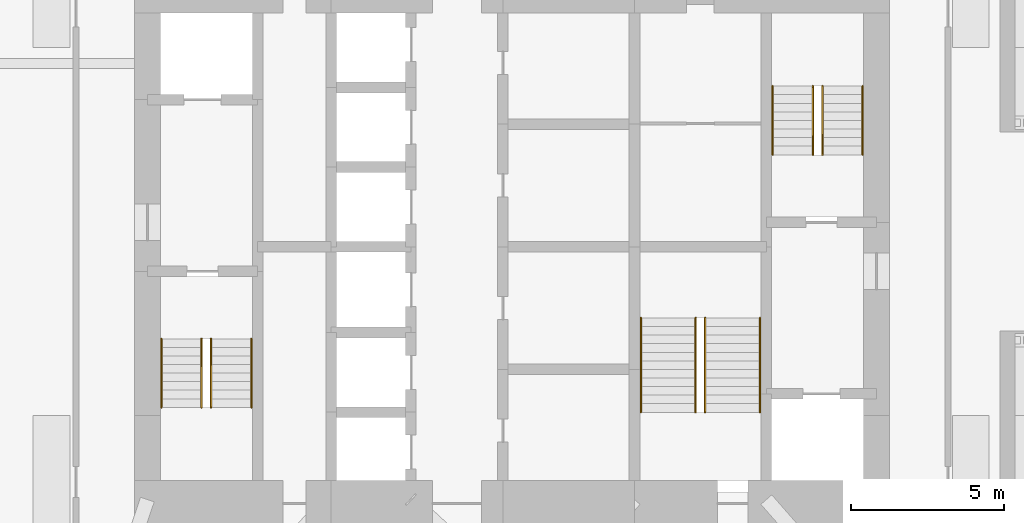
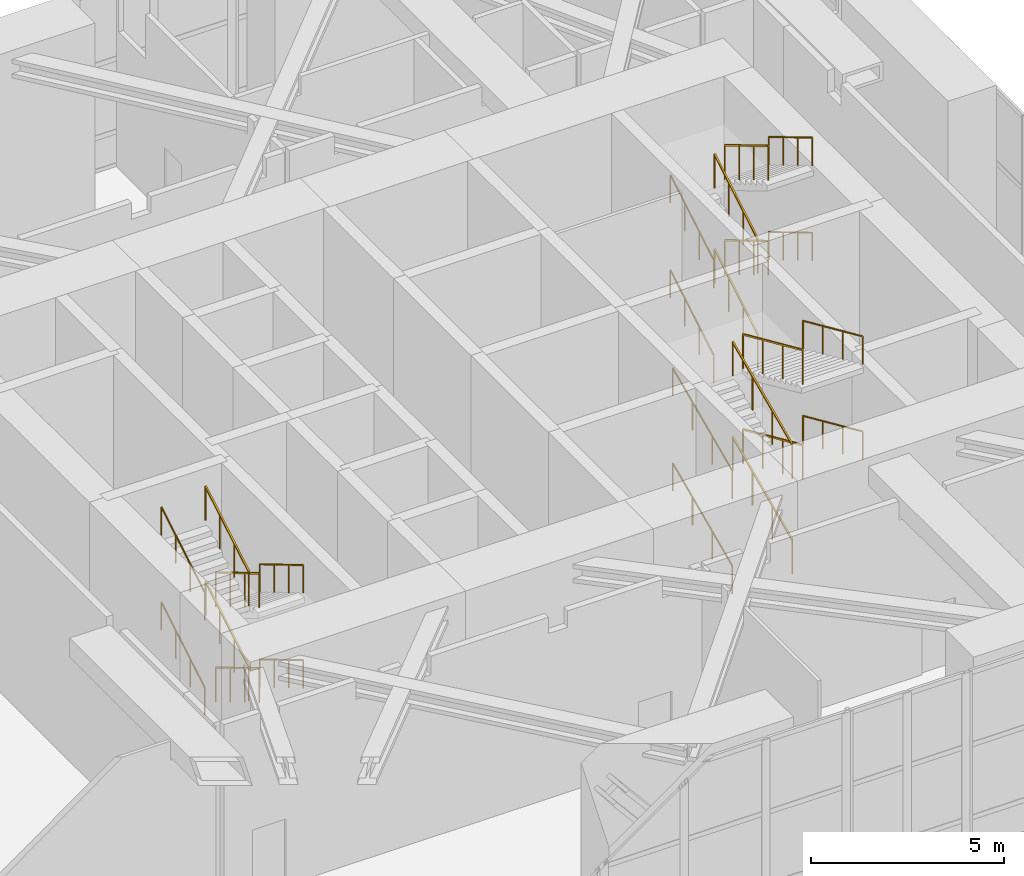
# One storey, part 18 of 18: 24 railings.
"""IFC4 building model written with IfcOpenShell, lengths in metres."""

from ifc_helpers import new_model, si_unit, direction, frame, origin, origin_2d, place, context, subcontext, project, spatial, rectangle, circle, extrude, material, constituent, constituent_set, type_object, element, save


model = new_model("IFC4")

# Units and contexts
model_context = context("Model", 3, precision=1e-05, world=origin(), true_north=direction((0.0, 1.0)))
body_context = subcontext(model_context, "Body", "Model", "MODEL_VIEW")
ifc_project = project(units=[si_unit("LENGTHUNIT", "METRE"), si_unit("AREAUNIT", "SQUARE_METRE"), si_unit("VOLUMEUNIT", "CUBIC_METRE"), si_unit("PLANEANGLEUNIT", "RADIAN"), si_unit("MASSUNIT", "GRAM", prefix="KILO")], contexts=[model_context])

# Site, building, storey
site_placement = place(None, origin())
site = spatial("IfcSite", under=ifc_project, at=site_placement, CompositionType="ELEMENT")
building_placement = place(site_placement, origin())
building = spatial("IfcBuilding", under=site, at=building_placement, Name="Jalousie Tower", CompositionType="ELEMENT")
storey_placement = place(building_placement, frame((0.0, 0.0, 138.35009765625)))
storey = spatial("IfcBuildingStorey", under=building, at=storey_placement, Name="L38", CompositionType="ELEMENT", Elevation=138.35009765625)

# Railings
ifc_material_1 = material(Name="Steel ASTM A500 Grade C", Category="steel")
ifc_constituent_1 = constituent(ifc_material_1, Name="Body")
ifc_material_2 = material(Name="Hot-dip galvanised zinc coating")
ifc_constituent_2 = constituent(ifc_material_2, Name="Finish")
ifc_constituent_set_1 = constituent_set(constituents=[ifc_constituent_1, ifc_constituent_2])
railing_type_1 = type_object("IfcRailingType", Name="STAIR GUARD 1100", PredefinedType="GUARDRAIL", material=ifc_constituent_set_1)
railing_1_placement = place(storey_placement, frame((22.080078125, 15.49755859375, 0.16650390625)))
element("IfcRailing", 1, at=railing_1_placement, inside=storey, type_object=railing_type_1, Name="Exit stair A guard L38 flight 1", PredefinedType="GUARDRAIL", context=body_context, shape_type="SweptSolid", body=[
    extrude(rectangle(XDim=0.048095703125, YDim=0.048095703125, at=origin_2d()), frame((0.0, 0.0, 1.076171875), z_axis=(0.0, -0.859264461869, 0.511531606619), x_axis=(1.0, 0.0, 0.0)), (0.0, 0.0, 1.0), 2.60693359375),
    extrude(circle(Radius=0.02099609375, at=origin_2d()), origin(), (0.0, 0.0, 1.0), 1.052001953125),
    extrude(circle(Radius=0.02099609375, at=origin_2d()), frame((0.0, -0.74658203125, 0.444580078125)), (0.0, 0.0, 1.0), 1.052001953125),
    extrude(circle(Radius=0.02099609375, at=origin_2d()), frame((0.0, -1.493408203125, 0.888916015625)), (0.0, 0.0, 1.0), 1.052001953125),
    extrude(circle(Radius=0.02099609375, at=origin_2d()), frame((0.0, -2.239990234375, 1.33349609375)), (0.0, 0.0, 1.0), 1.052001953125),
])
railing_2_placement = place(storey_placement, frame((21.77001953125, 13.257568359375, 1.66650390625)))
element("IfcRailing", 2, at=railing_2_placement, inside=storey, type_object=railing_type_1, Name="Exit stair A guard L38 flight 2", PredefinedType="GUARDRAIL", context=body_context, shape_type="SweptSolid", body=[
    extrude(rectangle(XDim=0.048095703125, YDim=0.048095703125, at=origin_2d()), frame((0.0, 0.0, 1.076171875), z_axis=(0.0, 0.859264461869, 0.511531606619), x_axis=(-1.0, 0.0, 0.0)), (0.0, 0.0, 1.0), 2.60693359375),
    extrude(circle(Radius=0.02099609375, at=origin_2d()), origin(), (0.0, 0.0, 1.0), 1.052001953125),
    extrude(circle(Radius=0.02099609375, at=origin_2d()), frame((0.0, 0.74658203125, 0.444580078125)), (0.0, 0.0, 1.0), 1.052001953125),
    extrude(circle(Radius=0.02099609375, at=origin_2d()), frame((0.0, 1.493408203125, 0.888916015625)), (0.0, 0.0, 1.0), 1.052001953125),
    extrude(circle(Radius=0.02099609375, at=origin_2d()), frame((0.0, 2.239990234375, 1.33349609375)), (0.0, 0.0, 1.0), 1.052001953125),
])
railing_3_placement = place(storey_placement, frame((22.080078125, 15.49755859375, 3.16650390625)))
element("IfcRailing", 3, at=railing_3_placement, inside=storey, type_object=railing_type_1, Name="Exit stair A guard L38 flight 3", PredefinedType="GUARDRAIL", context=body_context, shape_type="SweptSolid", body=[
    extrude(rectangle(XDim=0.048095703125, YDim=0.048095703125, at=origin_2d()), frame((0.0, 0.0, 1.076171875), z_axis=(0.0, -0.859264461869, 0.511531606619), x_axis=(1.0, 0.0, 0.0)), (0.0, 0.0, 1.0), 2.60693359375),
    extrude(circle(Radius=0.02099609375, at=origin_2d()), origin(), (0.0, 0.0, 1.0), 1.052001953125),
    extrude(circle(Radius=0.02099609375, at=origin_2d()), frame((0.0, -0.74658203125, 0.444580078125)), (0.0, 0.0, 1.0), 1.052001953125),
    extrude(circle(Radius=0.02099609375, at=origin_2d()), frame((0.0, -1.493408203125, 0.888916015625)), (0.0, 0.0, 1.0), 1.052001953125),
    extrude(circle(Radius=0.02099609375, at=origin_2d()), frame((0.0, -2.239990234375, 1.33349609375)), (0.0, 0.0, 1.0), 1.052001953125),
])
for number, where, name in (
    (4, (21.77001953125, 13.257568359375, 4.66650390625), "Exit stair A guard L38 flight 4"),
    (5, (41.719970703125, 21.50244140625, 0.16650390625), "Exit stair B guard L38 flight 1"),
):
    element("IfcRailing", number, at=place(storey_placement, frame(where)), inside=storey, type_object=railing_type_1, Name=name, PredefinedType="GUARDRAIL", context=body_context, shape_type="SweptSolid", body=[
        extrude(rectangle(XDim=0.048095703125, YDim=0.048095703125, at=origin_2d()), frame((0.0, 0.0, 1.076171875), z_axis=(0.0, 0.859264461869, 0.511531606619), x_axis=(-1.0, 0.0, 0.0)), (0.0, 0.0, 1.0), 2.60693359375),
        extrude(circle(Radius=0.02099609375, at=origin_2d()), origin(), (0.0, 0.0, 1.0), 1.052001953125),
        extrude(circle(Radius=0.02099609375, at=origin_2d()), frame((0.0, 0.74658203125, 0.444580078125)), (0.0, 0.0, 1.0), 1.052001953125),
        extrude(circle(Radius=0.02099609375, at=origin_2d()), frame((0.0, 1.493408203125, 0.888916015625)), (0.0, 0.0, 1.0), 1.052001953125),
        extrude(circle(Radius=0.02099609375, at=origin_2d()), frame((0.0, 2.239990234375, 1.33349609375)), (0.0, 0.0, 1.0), 1.052001953125),
    ])
railing_4_placement = place(storey_placement, frame((42.030029296875, 23.742431640625, 1.66650390625)))
element("IfcRailing", 6, at=railing_4_placement, inside=storey, type_object=railing_type_1, Name="Exit stair B guard L38 flight 2", PredefinedType="GUARDRAIL", context=body_context, shape_type="SweptSolid", body=[
    extrude(rectangle(XDim=0.048095703125, YDim=0.048095703125, at=origin_2d()), frame((0.0, 0.0, 1.076171875), z_axis=(0.0, -0.859264461869, 0.511531606619), x_axis=(1.0, 0.0, 0.0)), (0.0, 0.0, 1.0), 2.60693359375),
    extrude(circle(Radius=0.02099609375, at=origin_2d()), origin(), (0.0, 0.0, 1.0), 1.052001953125),
    extrude(circle(Radius=0.02099609375, at=origin_2d()), frame((0.0, -0.74658203125, 0.444580078125)), (0.0, 0.0, 1.0), 1.052001953125),
    extrude(circle(Radius=0.02099609375, at=origin_2d()), frame((0.0, -1.493408203125, 0.888916015625)), (0.0, 0.0, 1.0), 1.052001953125),
    extrude(circle(Radius=0.02099609375, at=origin_2d()), frame((0.0, -2.239990234375, 1.33349609375)), (0.0, 0.0, 1.0), 1.052001953125),
])
railing_5_placement = place(storey_placement, frame((41.719970703125, 21.50244140625, 3.16650390625)))
element("IfcRailing", 7, at=railing_5_placement, inside=storey, type_object=railing_type_1, Name="Exit stair B guard L38 flight 3", PredefinedType="GUARDRAIL", context=body_context, shape_type="SweptSolid", body=[
    extrude(rectangle(XDim=0.048095703125, YDim=0.048095703125, at=origin_2d()), frame((0.0, 0.0, 1.076171875), z_axis=(0.0, 0.859264461869, 0.511531606619), x_axis=(-1.0, 0.0, 0.0)), (0.0, 0.0, 1.0), 2.60693359375),
    extrude(circle(Radius=0.02099609375, at=origin_2d()), origin(), (0.0, 0.0, 1.0), 1.052001953125),
    extrude(circle(Radius=0.02099609375, at=origin_2d()), frame((0.0, 0.74658203125, 0.444580078125)), (0.0, 0.0, 1.0), 1.052001953125),
    extrude(circle(Radius=0.02099609375, at=origin_2d()), frame((0.0, 1.493408203125, 0.888916015625)), (0.0, 0.0, 1.0), 1.052001953125),
    extrude(circle(Radius=0.02099609375, at=origin_2d()), frame((0.0, 2.239990234375, 1.33349609375)), (0.0, 0.0, 1.0), 1.052001953125),
])
railing_6_placement = place(storey_placement, frame((42.030029296875, 23.742431640625, 4.66650390625)))
element("IfcRailing", 8, at=railing_6_placement, inside=storey, type_object=railing_type_1, Name="Exit stair B guard L38 flight 4", PredefinedType="GUARDRAIL", context=body_context, shape_type="SweptSolid", body=[
    extrude(rectangle(XDim=0.048095703125, YDim=0.048095703125, at=origin_2d()), frame((0.0, 0.0, 1.076171875), z_axis=(0.0, -0.859264461869, 0.511531606619), x_axis=(1.0, 0.0, 0.0)), (0.0, 0.0, 1.0), 2.60693359375),
    extrude(circle(Radius=0.02099609375, at=origin_2d()), origin(), (0.0, 0.0, 1.0), 1.052001953125),
    extrude(circle(Radius=0.02099609375, at=origin_2d()), frame((0.0, -0.74658203125, 0.444580078125)), (0.0, 0.0, 1.0), 1.052001953125),
    extrude(circle(Radius=0.02099609375, at=origin_2d()), frame((0.0, -1.493408203125, 0.888916015625)), (0.0, 0.0, 1.0), 1.052001953125),
    extrude(circle(Radius=0.02099609375, at=origin_2d()), frame((0.0, -2.239990234375, 1.33349609375)), (0.0, 0.0, 1.0), 1.052001953125),
])
railing_7_placement = place(storey_placement, frame((37.89501953125, 13.097412109375, 0.125)))
element("IfcRailing", 9, at=railing_7_placement, inside=storey, type_object=railing_type_1, Name="Exit stair C guard L38 flight 1", PredefinedType="GUARDRAIL", context=body_context, shape_type="SweptSolid", body=[
    extrude(rectangle(XDim=0.048095703125, YDim=0.048095703125, at=origin_2d()), frame((0.0, 0.0, 1.076171875), z_axis=(0.0, 0.913141731355, 0.40764221869), x_axis=(-1.0, 0.0, 0.0)), (0.0, 0.0, 1.0), 3.373046875),
    extrude(circle(Radius=0.02099609375, at=origin_2d()), origin(), (0.0, 0.0, 1.0), 1.052001953125),
    extrude(circle(Radius=0.02099609375, at=origin_2d()), frame((0.0, 1.026611328125, 0.458251953125)), (0.0, 0.0, 1.0), 1.052001953125),
    extrude(circle(Radius=0.02099609375, at=origin_2d()), frame((0.0, 2.053466796875, 0.916748046875)), (0.0, 0.0, 1.0), 1.052001953125),
    extrude(circle(Radius=0.02099609375, at=origin_2d()), frame((0.0, 3.080078125, 1.375)), (0.0, 0.0, 1.0), 1.052001953125),
])
railing_8_placement = place(storey_placement, frame((38.205078125, 16.177490234375, 1.625)))
element("IfcRailing", 10, at=railing_8_placement, inside=storey, type_object=railing_type_1, Name="Exit stair C guard L38 flight 2", PredefinedType="GUARDRAIL", context=body_context, shape_type="SweptSolid", body=[
    extrude(rectangle(XDim=0.048095703125, YDim=0.048095703125, at=origin_2d()), frame((0.0, 0.0, 1.076171875), z_axis=(0.0, -0.913141731355, 0.40764221869), x_axis=(1.0, 0.0, 0.0)), (0.0, 0.0, 1.0), 3.373046875),
    extrude(circle(Radius=0.02099609375, at=origin_2d()), origin(), (0.0, 0.0, 1.0), 1.052001953125),
    extrude(circle(Radius=0.02099609375, at=origin_2d()), frame((0.0, -1.026611328125, 0.458251953125)), (0.0, 0.0, 1.0), 1.052001953125),
    extrude(circle(Radius=0.02099609375, at=origin_2d()), frame((0.0, -2.053466796875, 0.916748046875)), (0.0, 0.0, 1.0), 1.052001953125),
    extrude(circle(Radius=0.02099609375, at=origin_2d()), frame((0.0, -3.080078125, 1.375)), (0.0, 0.0, 1.0), 1.052001953125),
])
railing_9_placement = place(storey_placement, frame((37.89501953125, 13.097412109375, 3.125)))
element("IfcRailing", 11, at=railing_9_placement, inside=storey, type_object=railing_type_1, Name="Exit stair C guard L38 flight 3", PredefinedType="GUARDRAIL", context=body_context, shape_type="SweptSolid", body=[
    extrude(rectangle(XDim=0.048095703125, YDim=0.048095703125, at=origin_2d()), frame((0.0, 0.0, 1.076171875), z_axis=(0.0, 0.913141731355, 0.40764221869), x_axis=(-1.0, 0.0, 0.0)), (0.0, 0.0, 1.0), 3.373046875),
    extrude(circle(Radius=0.02099609375, at=origin_2d()), origin(), (0.0, 0.0, 1.0), 1.052001953125),
    extrude(circle(Radius=0.02099609375, at=origin_2d()), frame((0.0, 1.026611328125, 0.458251953125)), (0.0, 0.0, 1.0), 1.052001953125),
    extrude(circle(Radius=0.02099609375, at=origin_2d()), frame((0.0, 2.053466796875, 0.916748046875)), (0.0, 0.0, 1.0), 1.052001953125),
    extrude(circle(Radius=0.02099609375, at=origin_2d()), frame((0.0, 3.080078125, 1.375)), (0.0, 0.0, 1.0), 1.052001953125),
])
railing_10_placement = place(storey_placement, frame((38.205078125, 16.177490234375, 4.625)))
element("IfcRailing", 12, at=railing_10_placement, inside=storey, type_object=railing_type_1, Name="Exit stair C guard L38 flight 4", PredefinedType="GUARDRAIL", context=body_context, shape_type="SweptSolid", body=[
    extrude(rectangle(XDim=0.048095703125, YDim=0.048095703125, at=origin_2d()), frame((0.0, 0.0, 1.076171875), z_axis=(0.0, -0.913141731355, 0.40764221869), x_axis=(1.0, 0.0, 0.0)), (0.0, 0.0, 1.0), 3.373046875),
    extrude(circle(Radius=0.02099609375, at=origin_2d()), origin(), (0.0, 0.0, 1.0), 1.052001953125),
    extrude(circle(Radius=0.02099609375, at=origin_2d()), frame((0.0, -1.026611328125, 0.458251953125)), (0.0, 0.0, 1.0), 1.052001953125),
    extrude(circle(Radius=0.02099609375, at=origin_2d()), frame((0.0, -2.053466796875, 0.916748046875)), (0.0, 0.0, 1.0), 1.052001953125),
    extrude(circle(Radius=0.02099609375, at=origin_2d()), frame((0.0, -3.080078125, 1.375)), (0.0, 0.0, 1.0), 1.052001953125),
])
ifc_material_3 = material(Name="Steel ASTM A500 Grade C", Category="steel")
ifc_constituent_3 = constituent(ifc_material_3, Name="Body")
ifc_material_4 = material(Name="Hot-dip galvanised zinc coating")
ifc_constituent_4 = constituent(ifc_material_4, Name="Finish")
ifc_constituent_set_2 = constituent_set(constituents=[ifc_constituent_3, ifc_constituent_4])
railing_type_2 = type_object("IfcRailingType", Name="STAIR HANDRAIL 900", PredefinedType="HANDRAIL", material=ifc_constituent_set_2)
railing_11_placement = place(storey_placement, frame((23.39501953125, 15.49755859375, 0.16650390625)))
element("IfcRailing", 13, at=railing_11_placement, inside=storey, type_object=railing_type_2, Name="Exit stair A handrail L38 flight 1", PredefinedType="HANDRAIL", context=body_context, shape_type="SweptSolid", body=[
    extrude(circle(Radius=0.02392578125, at=origin_2d()), frame((0.0, 0.0, 0.8759765625), z_axis=(0.0, -0.859264461869, 0.511531606619), x_axis=(1.0, 0.0, 0.0)), (0.0, 0.0, 1.0), 2.60693359375),
    extrude(circle(Radius=0.02099609375, at=origin_2d()), origin(), (0.0, 0.0, 1.0), 0.851806640625),
    extrude(circle(Radius=0.02099609375, at=origin_2d()), frame((0.0, -0.74658203125, 0.444580078125)), (0.0, 0.0, 1.0), 0.851806640625),
    extrude(circle(Radius=0.02099609375, at=origin_2d()), frame((0.0, -1.493408203125, 0.888916015625)), (0.0, 0.0, 1.0), 0.851806640625),
    extrude(circle(Radius=0.02099609375, at=origin_2d()), frame((0.0, -2.239990234375, 1.33349609375)), (0.0, 0.0, 1.0), 0.851806640625),
])
railing_12_placement = place(storey_placement, frame((20.455078125, 13.257568359375, 1.66650390625)))
element("IfcRailing", 14, at=railing_12_placement, inside=storey, type_object=railing_type_2, Name="Exit stair A handrail L38 flight 2", PredefinedType="HANDRAIL", context=body_context, shape_type="SweptSolid", body=[
    extrude(circle(Radius=0.02392578125, at=origin_2d()), frame((0.0, 0.0, 0.8759765625), z_axis=(0.0, 0.859264461869, 0.511531606619), x_axis=(-1.0, 0.0, 0.0)), (0.0, 0.0, 1.0), 2.60693359375),
    extrude(circle(Radius=0.02099609375, at=origin_2d()), origin(), (0.0, 0.0, 1.0), 0.851806640625),
    extrude(circle(Radius=0.02099609375, at=origin_2d()), frame((0.0, 0.74658203125, 0.444580078125)), (0.0, 0.0, 1.0), 0.851806640625),
    extrude(circle(Radius=0.02099609375, at=origin_2d()), frame((0.0, 1.493408203125, 0.888916015625)), (0.0, 0.0, 1.0), 0.851806640625),
    extrude(circle(Radius=0.02099609375, at=origin_2d()), frame((0.0, 2.239990234375, 1.33349609375)), (0.0, 0.0, 1.0), 0.851806640625),
])
railing_13_placement = place(storey_placement, frame((23.39501953125, 15.49755859375, 3.16650390625)))
element("IfcRailing", 15, at=railing_13_placement, inside=storey, type_object=railing_type_2, Name="Exit stair A handrail L38 flight 3", PredefinedType="HANDRAIL", context=body_context, shape_type="SweptSolid", body=[
    extrude(circle(Radius=0.02392578125, at=origin_2d()), frame((0.0, 0.0, 0.8759765625), z_axis=(0.0, -0.859264461869, 0.511531606619), x_axis=(1.0, 0.0, 0.0)), (0.0, 0.0, 1.0), 2.60693359375),
    extrude(circle(Radius=0.02099609375, at=origin_2d()), origin(), (0.0, 0.0, 1.0), 0.851806640625),
    extrude(circle(Radius=0.02099609375, at=origin_2d()), frame((0.0, -0.74658203125, 0.444580078125)), (0.0, 0.0, 1.0), 0.851806640625),
    extrude(circle(Radius=0.02099609375, at=origin_2d()), frame((0.0, -1.493408203125, 0.888916015625)), (0.0, 0.0, 1.0), 0.851806640625),
    extrude(circle(Radius=0.02099609375, at=origin_2d()), frame((0.0, -2.239990234375, 1.33349609375)), (0.0, 0.0, 1.0), 0.851806640625),
])
for number, where, name in (
    (16, (20.455078125, 13.257568359375, 4.66650390625), "Exit stair A handrail L38 flight 4"),
    (17, (40.405029296875, 21.50244140625, 0.16650390625), "Exit stair B handrail L38 flight 1"),
):
    element("IfcRailing", number, at=place(storey_placement, frame(where)), inside=storey, type_object=railing_type_2, Name=name, PredefinedType="HANDRAIL", context=body_context, shape_type="SweptSolid", body=[
        extrude(circle(Radius=0.02392578125, at=origin_2d()), frame((0.0, 0.0, 0.8759765625), z_axis=(0.0, 0.859264461869, 0.511531606619), x_axis=(-1.0, 0.0, 0.0)), (0.0, 0.0, 1.0), 2.60693359375),
        extrude(circle(Radius=0.02099609375, at=origin_2d()), origin(), (0.0, 0.0, 1.0), 0.851806640625),
        extrude(circle(Radius=0.02099609375, at=origin_2d()), frame((0.0, 0.74658203125, 0.444580078125)), (0.0, 0.0, 1.0), 0.851806640625),
        extrude(circle(Radius=0.02099609375, at=origin_2d()), frame((0.0, 1.493408203125, 0.888916015625)), (0.0, 0.0, 1.0), 0.851806640625),
        extrude(circle(Radius=0.02099609375, at=origin_2d()), frame((0.0, 2.239990234375, 1.33349609375)), (0.0, 0.0, 1.0), 0.851806640625),
    ])
railing_14_placement = place(storey_placement, frame((43.344970703125, 23.742431640625, 1.66650390625)))
element("IfcRailing", 18, at=railing_14_placement, inside=storey, type_object=railing_type_2, Name="Exit stair B handrail L38 flight 2", PredefinedType="HANDRAIL", context=body_context, shape_type="SweptSolid", body=[
    extrude(circle(Radius=0.02392578125, at=origin_2d()), frame((0.0, 0.0, 0.8759765625), z_axis=(0.0, -0.859264461869, 0.511531606619), x_axis=(1.0, 0.0, 0.0)), (0.0, 0.0, 1.0), 2.60693359375),
    extrude(circle(Radius=0.02099609375, at=origin_2d()), origin(), (0.0, 0.0, 1.0), 0.851806640625),
    extrude(circle(Radius=0.02099609375, at=origin_2d()), frame((0.0, -0.74658203125, 0.444580078125)), (0.0, 0.0, 1.0), 0.851806640625),
    extrude(circle(Radius=0.02099609375, at=origin_2d()), frame((0.0, -1.493408203125, 0.888916015625)), (0.0, 0.0, 1.0), 0.851806640625),
    extrude(circle(Radius=0.02099609375, at=origin_2d()), frame((0.0, -2.239990234375, 1.33349609375)), (0.0, 0.0, 1.0), 0.851806640625),
])
railing_15_placement = place(storey_placement, frame((40.405029296875, 21.50244140625, 3.16650390625)))
element("IfcRailing", 19, at=railing_15_placement, inside=storey, type_object=railing_type_2, Name="Exit stair B handrail L38 flight 3", PredefinedType="HANDRAIL", context=body_context, shape_type="SweptSolid", body=[
    extrude(circle(Radius=0.02392578125, at=origin_2d()), frame((0.0, 0.0, 0.8759765625), z_axis=(0.0, 0.859264461869, 0.511531606619), x_axis=(-1.0, 0.0, 0.0)), (0.0, 0.0, 1.0), 2.60693359375),
    extrude(circle(Radius=0.02099609375, at=origin_2d()), origin(), (0.0, 0.0, 1.0), 0.851806640625),
    extrude(circle(Radius=0.02099609375, at=origin_2d()), frame((0.0, 0.74658203125, 0.444580078125)), (0.0, 0.0, 1.0), 0.851806640625),
    extrude(circle(Radius=0.02099609375, at=origin_2d()), frame((0.0, 1.493408203125, 0.888916015625)), (0.0, 0.0, 1.0), 0.851806640625),
    extrude(circle(Radius=0.02099609375, at=origin_2d()), frame((0.0, 2.239990234375, 1.33349609375)), (0.0, 0.0, 1.0), 0.851806640625),
])
railing_16_placement = place(storey_placement, frame((43.344970703125, 23.742431640625, 4.66650390625)))
element("IfcRailing", 20, at=railing_16_placement, inside=storey, type_object=railing_type_2, Name="Exit stair B handrail L38 flight 4", PredefinedType="HANDRAIL", context=body_context, shape_type="SweptSolid", body=[
    extrude(circle(Radius=0.02392578125, at=origin_2d()), frame((0.0, 0.0, 0.8759765625), z_axis=(0.0, -0.859264461869, 0.511531606619), x_axis=(1.0, 0.0, 0.0)), (0.0, 0.0, 1.0), 2.60693359375),
    extrude(circle(Radius=0.02099609375, at=origin_2d()), origin(), (0.0, 0.0, 1.0), 0.851806640625),
    extrude(circle(Radius=0.02099609375, at=origin_2d()), frame((0.0, -0.74658203125, 0.444580078125)), (0.0, 0.0, 1.0), 0.851806640625),
    extrude(circle(Radius=0.02099609375, at=origin_2d()), frame((0.0, -1.493408203125, 0.888916015625)), (0.0, 0.0, 1.0), 0.851806640625),
    extrude(circle(Radius=0.02099609375, at=origin_2d()), frame((0.0, -2.239990234375, 1.33349609375)), (0.0, 0.0, 1.0), 0.851806640625),
])
railing_17_placement = place(storey_placement, frame((36.10498046875, 13.097412109375, 0.125)))
element("IfcRailing", 21, at=railing_17_placement, inside=storey, type_object=railing_type_2, Name="Exit stair C handrail L38 flight 1", PredefinedType="HANDRAIL", context=body_context, shape_type="SweptSolid", body=[
    extrude(circle(Radius=0.02392578125, at=origin_2d()), frame((0.0, 0.0, 0.8759765625), z_axis=(0.0, 0.913141731355, 0.40764221869), x_axis=(-1.0, 0.0, 0.0)), (0.0, 0.0, 1.0), 3.373046875),
    extrude(circle(Radius=0.02099609375, at=origin_2d()), origin(), (0.0, 0.0, 1.0), 0.851806640625),
    extrude(circle(Radius=0.02099609375, at=origin_2d()), frame((0.0, 1.026611328125, 0.458251953125)), (0.0, 0.0, 1.0), 0.851806640625),
    extrude(circle(Radius=0.02099609375, at=origin_2d()), frame((0.0, 2.053466796875, 0.916748046875)), (0.0, 0.0, 1.0), 0.851806640625),
    extrude(circle(Radius=0.02099609375, at=origin_2d()), frame((0.0, 3.080078125, 1.375)), (0.0, 0.0, 1.0), 0.851806640625),
])
railing_18_placement = place(storey_placement, frame((39.9951171875, 16.177490234375, 1.625)))
element("IfcRailing", 22, at=railing_18_placement, inside=storey, type_object=railing_type_2, Name="Exit stair C handrail L38 flight 2", PredefinedType="HANDRAIL", context=body_context, shape_type="SweptSolid", body=[
    extrude(circle(Radius=0.02392578125, at=origin_2d()), frame((0.0, 0.0, 0.8759765625), z_axis=(0.0, -0.913141731355, 0.40764221869), x_axis=(1.0, 0.0, 0.0)), (0.0, 0.0, 1.0), 3.373046875),
    extrude(circle(Radius=0.02099609375, at=origin_2d()), origin(), (0.0, 0.0, 1.0), 0.851806640625),
    extrude(circle(Radius=0.02099609375, at=origin_2d()), frame((0.0, -1.026611328125, 0.458251953125)), (0.0, 0.0, 1.0), 0.851806640625),
    extrude(circle(Radius=0.02099609375, at=origin_2d()), frame((0.0, -2.053466796875, 0.916748046875)), (0.0, 0.0, 1.0), 0.851806640625),
    extrude(circle(Radius=0.02099609375, at=origin_2d()), frame((0.0, -3.080078125, 1.375)), (0.0, 0.0, 1.0), 0.851806640625),
])
railing_19_placement = place(storey_placement, frame((36.10498046875, 13.097412109375, 3.125)))
element("IfcRailing", 23, at=railing_19_placement, inside=storey, type_object=railing_type_2, Name="Exit stair C handrail L38 flight 3", PredefinedType="HANDRAIL", context=body_context, shape_type="SweptSolid", body=[
    extrude(circle(Radius=0.02392578125, at=origin_2d()), frame((0.0, 0.0, 0.8759765625), z_axis=(0.0, 0.913141731355, 0.40764221869), x_axis=(-1.0, 0.0, 0.0)), (0.0, 0.0, 1.0), 3.373046875),
    extrude(circle(Radius=0.02099609375, at=origin_2d()), origin(), (0.0, 0.0, 1.0), 0.851806640625),
    extrude(circle(Radius=0.02099609375, at=origin_2d()), frame((0.0, 1.026611328125, 0.458251953125)), (0.0, 0.0, 1.0), 0.851806640625),
    extrude(circle(Radius=0.02099609375, at=origin_2d()), frame((0.0, 2.053466796875, 0.916748046875)), (0.0, 0.0, 1.0), 0.851806640625),
    extrude(circle(Radius=0.02099609375, at=origin_2d()), frame((0.0, 3.080078125, 1.375)), (0.0, 0.0, 1.0), 0.851806640625),
])
railing_20_placement = place(storey_placement, frame((39.9951171875, 16.177490234375, 4.625)))
element("IfcRailing", 24, at=railing_20_placement, inside=storey, type_object=railing_type_2, Name="Exit stair C handrail L38 flight 4", PredefinedType="HANDRAIL", context=body_context, shape_type="SweptSolid", body=[
    extrude(circle(Radius=0.02392578125, at=origin_2d()), frame((0.0, 0.0, 0.8759765625), z_axis=(0.0, -0.913141731355, 0.40764221869), x_axis=(1.0, 0.0, 0.0)), (0.0, 0.0, 1.0), 3.373046875),
    extrude(circle(Radius=0.02099609375, at=origin_2d()), origin(), (0.0, 0.0, 1.0), 0.851806640625),
    extrude(circle(Radius=0.02099609375, at=origin_2d()), frame((0.0, -1.026611328125, 0.458251953125)), (0.0, 0.0, 1.0), 0.851806640625),
    extrude(circle(Radius=0.02099609375, at=origin_2d()), frame((0.0, -2.053466796875, 0.916748046875)), (0.0, 0.0, 1.0), 0.851806640625),
    extrude(circle(Radius=0.02099609375, at=origin_2d()), frame((0.0, -3.080078125, 1.375)), (0.0, 0.0, 1.0), 0.851806640625),
])

save(model, "model.ifc")
